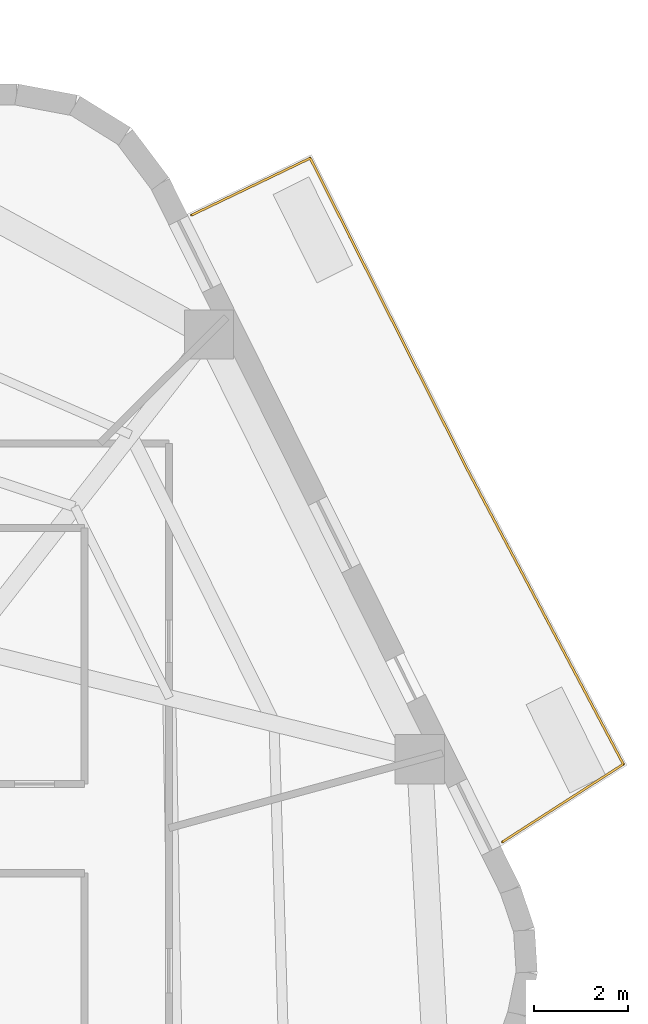
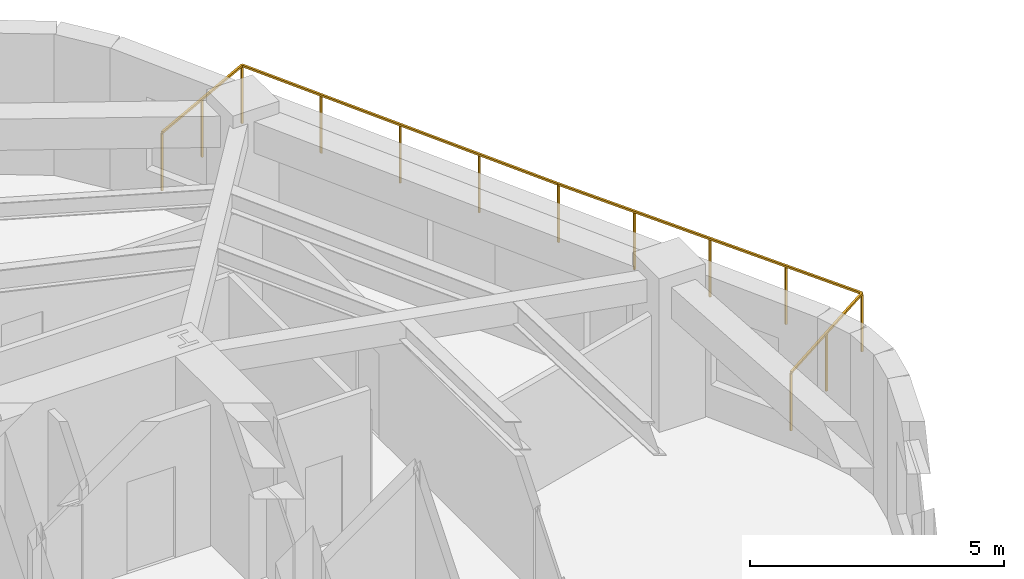
# One storey, part 10 of 10: 1 railing.
"""IFC4 building model written with IfcOpenShell, lengths in metres."""

from ifc_helpers import new_model, si_unit, direction, frame, origin, origin_2d, place, context, subcontext, project, spatial, rectangle, extrude, material, layer, layer_set, type_object, element, save


model = new_model("IFC4")

# Units and contexts
model_context = context("Model", 3, precision=1e-05, world=origin(), true_north=direction((0.0, 1.0)))
body_context = subcontext(model_context, "Body", "Model", "MODEL_VIEW")
ifc_project = project(units=[si_unit("LENGTHUNIT", "METRE"), si_unit("AREAUNIT", "SQUARE_METRE"), si_unit("VOLUMEUNIT", "CUBIC_METRE"), si_unit("PLANEANGLEUNIT", "RADIAN"), si_unit("MASSUNIT", "GRAM", prefix="KILO")], contexts=[model_context])

# Site, building, storey
site_placement = place(None, origin())
site = spatial("IfcSite", under=ifc_project, at=site_placement, CompositionType="ELEMENT")
building_placement = place(site_placement, origin())
building = spatial("IfcBuilding", under=site, at=building_placement, Name="Kilnhurst Terrace Hotel", CompositionType="ELEMENT")
storey_placement = place(building_placement, frame((0.0, 0.0, 148.0)))
storey = spatial("IfcBuildingStorey", under=building, at=storey_placement, Name="L36", CompositionType="ELEMENT", Elevation=148.0)

# Railing
ifc_material = material(Name="Laminated SentryGlas and Stainless Steel AISI 316L Balustrade", Category="steel")
ifc_layer = layer(ifc_material, 0.070068359375, Name="Laminated SentryGlas and Stainless Steel AISI 316L Balustrade")
ifc_layer_set = layer_set([ifc_layer], Name="Laminated SentryGlas and Stainless Steel AISI 316L Balustrade")
railing_type = type_object("IfcRailingType", Name="RLG-BAL-1420", PredefinedType="BALUSTRADE", material=ifc_layer_set)
railing_placement = place(storey_placement, frame((13.83544921875, 16.709716796875, 0.0)))
element("IfcRailing", 1, at=railing_placement, inside=storey, type_object=railing_type, Name="L36 Exterior Terrace Guardrail BAL-L1A.1", PredefinedType="BALUSTRADE", context=body_context, shape_type="SweptSolid", body=[
    extrude(rectangle(XDim=0.048095703125, YDim=0.048095703125, at=origin_2d()), frame((0.0, 0.0, 1.39599609375), z_axis=(0.901469931109, 0.43284173009, 0.0), x_axis=(-0.43284173009, 0.901469931109, 0.0)), (0.0, 0.0, 1.0), 2.797119140625),
    extrude(rectangle(XDim=0.048095703125, YDim=0.048095703125, at=origin_2d()), frame((2.521484375, 1.210693359375, 1.39599609375), z_axis=(0.450616671131, -0.892717545307, 0.0), x_axis=(0.892717545307, 0.450616671131, 0.0)), (0.0, 0.0, 1.0), 7.453857421875),
    extrude(rectangle(XDim=0.048095703125, YDim=0.048095703125, at=origin_2d()), frame((5.88037109375, -5.443603515625, 1.39599609375), z_axis=(0.4472135955, -0.894427191, 0.0), x_axis=(0.894427191, 0.4472135955, 0.0)), (0.0, 0.0, 1.0), 0.0009765625),
    extrude(rectangle(XDim=0.048095703125, YDim=0.048095703125, at=origin_2d()), frame((5.880859375, -5.444580078125, 1.39599609375), z_axis=(0.46789407085, -0.883784554325, 0.0), x_axis=(0.883784554325, 0.46789407085, 0.0)), (0.0, 0.0, 1.0), 7.0654296875),
    extrude(rectangle(XDim=0.048095703125, YDim=0.048095703125, at=origin_2d()), frame((9.186767578125, -11.68896484375, 1.39599609375), z_axis=(-0.841139546062, -0.540818143233, 0.0), x_axis=(0.540818143233, -0.841139546062, 0.0)), (0.0, 0.0, 1.0), 3.056640625),
    extrude(rectangle(XDim=0.0419921875, YDim=0.0419921875, at=origin_2d()), origin(), (0.0, 0.0, 1.0), 1.371826171875),
    extrude(rectangle(XDim=0.0419921875, YDim=0.0419921875, at=origin_2d()), frame((1.2607421875, 0.60546875, 0.0)), (0.0, 0.0, 1.0), 1.371826171875),
    extrude(rectangle(XDim=0.0419921875, YDim=0.0419921875, at=origin_2d()), frame((2.521484375, 1.210693359375, 0.0)), (0.0, 0.0, 1.0), 1.371826171875),
    extrude(rectangle(XDim=0.0419921875, YDim=0.0419921875, at=origin_2d()), frame((3.361328125, -0.452880859375, 0.0)), (0.0, 0.0, 1.0), 1.371826171875),
    extrude(rectangle(XDim=0.0419921875, YDim=0.0419921875, at=origin_2d()), frame((4.200927734375, -2.116455078125, 0.0)), (0.0, 0.0, 1.0), 1.371826171875),
    extrude(rectangle(XDim=0.0419921875, YDim=0.0419921875, at=origin_2d()), frame((5.04052734375, -3.780029296875, 0.0)), (0.0, 0.0, 1.0), 1.371826171875),
    extrude(rectangle(XDim=0.0419921875, YDim=0.0419921875, at=origin_2d()), frame((5.88037109375, -5.443603515625, 0.0)), (0.0, 0.0, 1.0), 1.371826171875),
    extrude(rectangle(XDim=0.0419921875, YDim=0.0419921875, at=origin_2d()), frame((5.880859375, -5.444580078125, 0.0)), (0.0, 0.0, 1.0), 1.371826171875),
    extrude(rectangle(XDim=0.0419921875, YDim=0.0419921875, at=origin_2d()), frame((6.707275390625, -7.005615234375, 0.0)), (0.0, 0.0, 1.0), 1.371826171875),
    extrude(rectangle(XDim=0.0419921875, YDim=0.0419921875, at=origin_2d()), frame((7.53369140625, -8.56689453125, 0.0)), (0.0, 0.0, 1.0), 1.371826171875),
    extrude(rectangle(XDim=0.0419921875, YDim=0.0419921875, at=origin_2d()), frame((8.3603515625, -10.1279296875, 0.0)), (0.0, 0.0, 1.0), 1.371826171875),
    extrude(rectangle(XDim=0.0419921875, YDim=0.0419921875, at=origin_2d()), frame((9.186767578125, -11.68896484375, 0.0)), (0.0, 0.0, 1.0), 1.371826171875),
    extrude(rectangle(XDim=0.0419921875, YDim=0.0419921875, at=origin_2d()), frame((7.9013671875, -12.515625, 0.0)), (0.0, 0.0, 1.0), 1.371826171875),
    extrude(rectangle(XDim=0.0419921875, YDim=0.0419921875, at=origin_2d()), frame((6.61572265625, -13.342041015625, 0.0)), (0.0, 0.0, 1.0), 1.371826171875),
])

save(model, "model.ifc")
